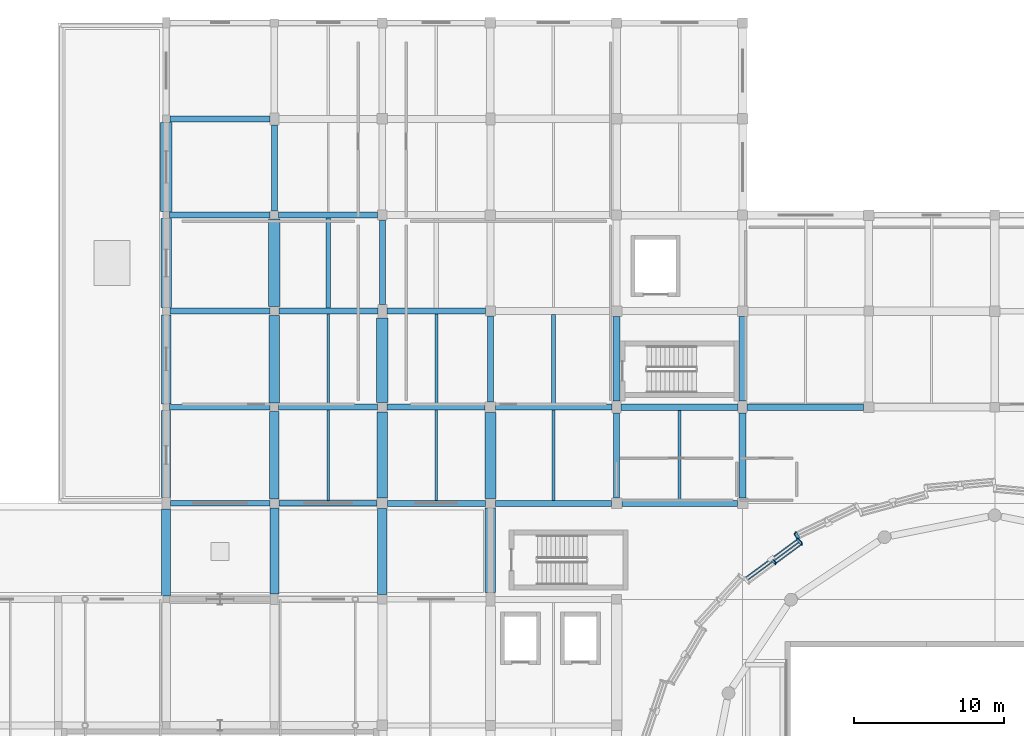
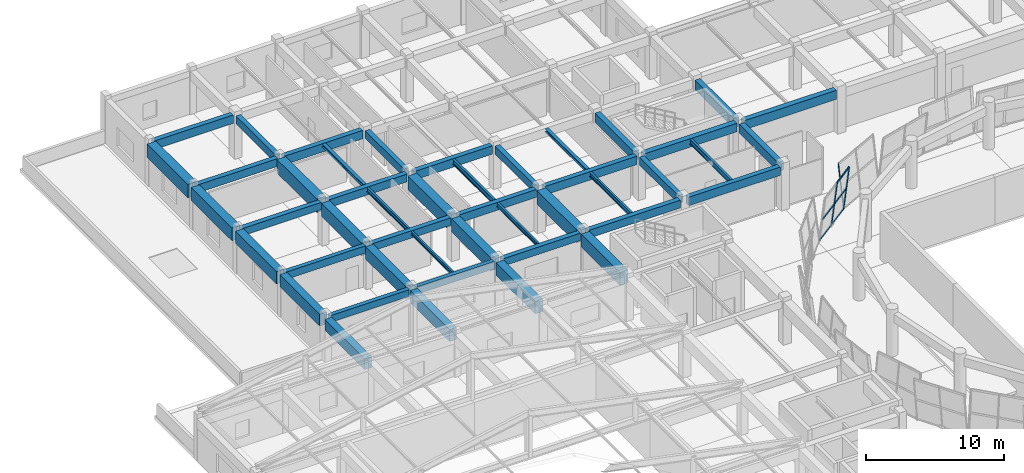
# One storey, part 33 of 74: 46 beams, 8 members, 2 elements without a shape of their own.
"""IFC4 building model written with IfcOpenShell, lengths in metres."""

from ifc_helpers import new_model, si_unit, direction, frame, origin, origin_2d, place, context, subcontext, project, spatial, rectangle, hollow_rectangle, i_section, extrude, material, material_profile, profile_set, type_object, element, aggregate, save


model = new_model("IFC4")

# Units and contexts
model_context = context("Model", 3, precision=1e-05, world=origin(), true_north=direction((0.0, 1.0)))
body_context = subcontext(model_context, "Body", "Model", "MODEL_VIEW")
ifc_project = project(units=[si_unit("LENGTHUNIT", "METRE"), si_unit("AREAUNIT", "SQUARE_METRE"), si_unit("VOLUMEUNIT", "CUBIC_METRE"), si_unit("PLANEANGLEUNIT", "RADIAN"), si_unit("MASSUNIT", "GRAM", prefix="KILO")], contexts=[model_context])

# Site, building, storey
site_placement = place(None, origin())
site = spatial("IfcSite", under=ifc_project, at=site_placement, CompositionType="ELEMENT")
building_placement = place(site_placement, origin())
building = spatial("IfcBuilding", under=site, at=building_placement, Name="Korsvaeld Concert Hall", CompositionType="ELEMENT")
storey_placement = place(building_placement, frame((0.0, 0.0, 9.0)))
storey = spatial("IfcBuildingStorey", under=building, at=storey_placement, Name="L02", CompositionType="ELEMENT", Elevation=9.0)

# Beams
ifc_material_1 = material(Name="Concrete C35/45", Category="concrete")
ifc_material_profile_1 = material_profile(ifc_material_1, rectangle(XDim=0.35009765625, YDim=0.60009765625, at=origin_2d()), Name="RC 350x600")
ifc_profile_set_1 = profile_set([ifc_material_profile_1], Name="Concrete C35/45")
beam_type_1 = type_object("IfcBeamType", Name="BM-RC-350x600", PredefinedType="T_BEAM", material=ifc_profile_set_1)
beam_1_placement = place(storey_placement, frame((29.074951171875, 83.199951171875, 3.5400390625), z_axis=(1.0, 0.0, 0.0), x_axis=(0.0, 1.0, 0.0)))
element("IfcBeam", 1, at=beam_1_placement, inside=storey, type_object=beam_type_1, Name="Primary girder 5-6/M L02", PredefinedType="T_BEAM", context=body_context, shape_type="SweptSolid", body=[
    extrude(rectangle(XDim=0.35009765625, YDim=0.60009765625, at=origin_2d()), origin(), (0.0, 0.0, 1.0), 6.625),
])
ifc_material_profile_2 = material_profile(ifc_material_1, rectangle(XDim=0.35009765625, YDim=0.64990234375, at=origin_2d()), Name="RC 350x650")
ifc_profile_set_2 = profile_set([ifc_material_profile_2], Name="Concrete C35/45")
beam_type_2 = type_object("IfcBeamType", Name="BM-RC-350x650", PredefinedType="T_BEAM", material=ifc_profile_set_2)
beam_2_placement = place(storey_placement, frame((36.300048828125, 83.199951171875, 3.514892578125), z_axis=(1.0, 0.0, 0.0), x_axis=(0.0, 1.0, 0.0)))
element("IfcBeam", 2, at=beam_2_placement, inside=storey, type_object=beam_type_2, Name="Primary girder 6-7/M L02", PredefinedType="T_BEAM", context=body_context, shape_type="SweptSolid", body=[
    extrude(rectangle(XDim=0.35009765625, YDim=0.64990234375, at=origin_2d()), origin(), (0.0, 0.0, 1.0), 6.550048828125),
])
beam_3_placement = place(storey_placement, frame((29.02490234375, 89.60009765625, 3.514892578125), z_axis=(1.0, 0.0, 0.0), x_axis=(0.0, 1.0, 0.0)))
element("IfcBeam", 3, at=beam_3_placement, inside=storey, type_object=beam_type_2, Name="Primary girder 5-6/N L02", PredefinedType="T_BEAM", context=body_context, shape_type="SweptSolid", body=[
    extrude(rectangle(XDim=0.35009765625, YDim=0.64990234375, at=origin_2d()), origin(), (0.0, 0.0, 1.0), 6.7001953125),
])
ifc_material_profile_3 = material_profile(ifc_material_1, rectangle(XDim=0.39990234375, YDim=0.64990234375, at=origin_2d()), Name="RC 400x650")
ifc_profile_set_3 = profile_set([ifc_material_profile_3], Name="Concrete C35/45")
beam_type_3 = type_object("IfcBeamType", Name="BM-RC-400x650", PredefinedType="T_BEAM", material=ifc_profile_set_3)
beam_4_placement = place(storey_placement, frame((43.550048828125, 83.199951171875, 3.514892578125), z_axis=(1.0, 0.0, 0.0), x_axis=(0.0, 1.0, 0.0)))
element("IfcBeam", 4, at=beam_4_placement, inside=storey, type_object=beam_type_3, Name="Primary girder 7-8/M L02", PredefinedType="T_BEAM", context=body_context, shape_type="SweptSolid", body=[
    extrude(rectangle(XDim=0.39990234375, YDim=0.64990234375, at=origin_2d()), origin(), (0.0, 0.0, 1.0), 6.52490234375),
])
beam_5_placement = place(storey_placement, frame((36.27490234375, 89.60009765625, 3.514892578125), z_axis=(1.0, 0.0, 0.0), x_axis=(0.0, 1.0, 0.0)))
element("IfcBeam", 5, at=beam_5_placement, inside=storey, type_object=beam_type_3, Name="Primary girder 6-7/N L02", PredefinedType="T_BEAM", context=body_context, shape_type="SweptSolid", body=[
    extrude(rectangle(XDim=0.39990234375, YDim=0.64990234375, at=origin_2d()), origin(), (0.0, 0.0, 1.0), 6.60009765625),
])
beam_6_placement = place(storey_placement, frame((29.050048828125, 96.0, 3.514892578125), z_axis=(1.0, 0.0, 0.0), x_axis=(0.0, 1.0, 0.0)))
element("IfcBeam", 6, at=beam_6_placement, inside=storey, type_object=beam_type_3, Name="Primary girder 5-6/P L02", PredefinedType="T_BEAM", context=body_context, shape_type="SweptSolid", body=[
    extrude(rectangle(XDim=0.39990234375, YDim=0.64990234375, at=origin_2d()), origin(), (0.0, 0.0, 1.0), 6.64990234375),
])
ifc_material_profile_4 = material_profile(ifc_material_1, rectangle(XDim=0.39990234375, YDim=0.699951171875, at=origin_2d()), Name="RC 400x700")
ifc_profile_set_4 = profile_set([ifc_material_profile_4], Name="Concrete C35/45")
beam_type_4 = type_object("IfcBeamType", Name="BM-RC-400x700", PredefinedType="T_BEAM", material=ifc_profile_set_4)
beam_7_placement = place(storey_placement, frame((50.72509765625, 83.199951171875, 3.489990234375), z_axis=(1.0, 0.0, 0.0), x_axis=(0.0, 1.0, 0.0)))
element("IfcBeam", 7, at=beam_7_placement, inside=storey, type_object=beam_type_4, Name="Primary girder 8-9/M L02", PredefinedType="T_BEAM", context=body_context, shape_type="SweptSolid", body=[
    extrude(rectangle(XDim=0.39990234375, YDim=0.699951171875, at=origin_2d()), origin(), (0.0, 0.0, 1.0), 7.724853515625),
])
beam_8_placement = place(storey_placement, frame((43.52490234375, 89.60009765625, 3.489990234375), z_axis=(1.0, 0.0, 0.0), x_axis=(0.0, 1.0, 0.0)))
element("IfcBeam", 8, at=beam_8_placement, inside=storey, type_object=beam_type_4, Name="Primary girder 7-8/N L02", PredefinedType="T_BEAM", context=body_context, shape_type="SweptSolid", body=[
    extrude(rectangle(XDim=0.39990234375, YDim=0.699951171875, at=origin_2d()), origin(), (0.0, 0.0, 1.0), 6.525146484375),
])
beam_9_placement = place(storey_placement, frame((36.300048828125, 96.0, 3.489990234375), z_axis=(1.0, 0.0, 0.0), x_axis=(0.0, 1.0, 0.0)))
element("IfcBeam", 9, at=beam_9_placement, inside=storey, type_object=beam_type_4, Name="Primary girder 6-7/P L02", PredefinedType="T_BEAM", context=body_context, shape_type="SweptSolid", body=[
    extrude(rectangle(XDim=0.39990234375, YDim=0.699951171875, at=origin_2d()), origin(), (0.0, 0.0, 1.0), 6.599853515625),
])
beam_10_placement = place(storey_placement, frame((29.02490234375, 102.39990234375, 3.489990234375), z_axis=(1.0, 0.0, 0.0), x_axis=(0.0, 1.0, 0.0)))
element("IfcBeam", 10, at=beam_10_placement, inside=storey, type_object=beam_type_4, Name="Primary girder 5-6/Q L02", PredefinedType="T_BEAM", context=body_context, shape_type="SweptSolid", body=[
    extrude(rectangle(XDim=0.39990234375, YDim=0.699951171875, at=origin_2d()), origin(), (0.0, 0.0, 1.0), 6.7001953125),
])
beam_11_placement = place(storey_placement, frame((36.0, 102.675048828125, 3.489990234375), z_axis=(0.0, 1.0, 0.0), x_axis=(-1.0, 0.0, 0.0)))
element("IfcBeam", 11, at=beam_11_placement, inside=storey, type_object=beam_type_4, Name="Primary girder 6/Q-R L02", PredefinedType="T_BEAM", context=body_context, shape_type="SweptSolid", body=[
    extrude(rectangle(XDim=0.39990234375, YDim=0.699951171875, at=origin_2d()), origin(), (0.0, 0.0, 1.0), 5.724853515625),
])
beam_12_placement = place(storey_placement, frame((43.199951171875, 96.449951171875, 3.489990234375), z_axis=(0.0, 1.0, 0.0), x_axis=(-1.0, 0.0, 0.0)))
element("IfcBeam", 12, at=beam_12_placement, inside=storey, type_object=beam_type_4, Name="Primary girder 7/P-Q L02", PredefinedType="T_BEAM", context=body_context, shape_type="SweptSolid", body=[
    extrude(rectangle(XDim=0.39990234375, YDim=0.699951171875, at=origin_2d()), origin(), (0.0, 0.0, 1.0), 5.625),
])
beam_13_placement = place(storey_placement, frame((50.39990234375, 89.949951171875, 3.489990234375), z_axis=(0.0, 1.0, 0.0), x_axis=(-1.0, 0.0, 0.0)))
element("IfcBeam", 13, at=beam_13_placement, inside=storey, type_object=beam_type_4, Name="Primary girder 8/N-P L02", PredefinedType="T_BEAM", context=body_context, shape_type="SweptSolid", body=[
    extrude(rectangle(XDim=0.39990234375, YDim=0.699951171875, at=origin_2d()), origin(), (0.0, 0.0, 1.0), 5.72509765625),
])
beam_14_placement = place(storey_placement, frame((58.800048828125, 83.550048828125, 3.489990234375), z_axis=(0.0, 1.0, 0.0), x_axis=(-1.0, 0.0, 0.0)))
element("IfcBeam", 14, at=beam_14_placement, inside=storey, type_object=beam_type_4, Name="Primary girder 9/M-N L02", PredefinedType="T_BEAM", context=body_context, shape_type="SweptSolid", body=[
    extrude(rectangle(XDim=0.39990234375, YDim=0.699951171875, at=origin_2d()), origin(), (0.0, 0.0, 1.0), 5.64990234375),
])
ifc_material_profile_5 = material_profile(ifc_material_1, rectangle(XDim=0.39990234375, YDim=0.75, at=origin_2d()), Name="RC 400x750")
ifc_profile_set_5 = profile_set([ifc_material_profile_5], Name="Concrete C35/45")
beam_type_5 = type_object("IfcBeamType", Name="BM-RC-400x750", PredefinedType="T_BEAM", material=ifc_profile_set_5)
beam_15_placement = place(storey_placement, frame((59.14990234375, 83.199951171875, 3.465087890625), z_axis=(1.0, 0.0, 0.0), x_axis=(0.0, 1.0, 0.0)))
element("IfcBeam", 15, at=beam_15_placement, inside=storey, type_object=beam_type_5, Name="Primary girder 9-10/M L02", PredefinedType="T_BEAM", context=body_context, shape_type="SweptSolid", body=[
    extrude(rectangle(XDim=0.39990234375, YDim=0.75, at=origin_2d()), origin(), (0.0, 0.0, 1.0), 7.7001953125),
])
beam_16_placement = place(storey_placement, frame((50.75, 89.60009765625, 3.465087890625), z_axis=(1.0, 0.0, 0.0), x_axis=(0.0, 1.0, 0.0)))
element("IfcBeam", 16, at=beam_16_placement, inside=storey, type_object=beam_type_5, Name="Primary girder 8-9/N L02", PredefinedType="T_BEAM", context=body_context, shape_type="SweptSolid", body=[
    extrude(rectangle(XDim=0.39990234375, YDim=0.75, at=origin_2d()), origin(), (0.0, 0.0, 1.0), 7.75),
])
beam_17_placement = place(storey_placement, frame((43.5, 96.0, 3.465087890625), z_axis=(1.0, 0.0, 0.0), x_axis=(0.0, 1.0, 0.0)))
element("IfcBeam", 17, at=beam_17_placement, inside=storey, type_object=beam_type_5, Name="Primary girder 7-8/P L02", PredefinedType="T_BEAM", context=body_context, shape_type="SweptSolid", body=[
    extrude(rectangle(XDim=0.39990234375, YDim=0.75, at=origin_2d()), origin(), (0.0, 0.0, 1.0), 6.574951171875),
])
beam_18_placement = place(storey_placement, frame((36.27490234375, 102.39990234375, 3.465087890625), z_axis=(1.0, 0.0, 0.0), x_axis=(0.0, 1.0, 0.0)))
element("IfcBeam", 18, at=beam_18_placement, inside=storey, type_object=beam_type_5, Name="Primary girder 6-7/Q L02", PredefinedType="T_BEAM", context=body_context, shape_type="SweptSolid", body=[
    extrude(rectangle(XDim=0.39990234375, YDim=0.75, at=origin_2d()), origin(), (0.0, 0.0, 1.0), 6.60009765625),
])
beam_19_placement = place(storey_placement, frame((29.050048828125, 108.800048828125, 3.465087890625), z_axis=(1.0, 0.0, 0.0), x_axis=(0.0, 1.0, 0.0)))
element("IfcBeam", 19, at=beam_19_placement, inside=storey, type_object=beam_type_5, Name="Primary girder 5-6/R L02", PredefinedType="T_BEAM", context=body_context, shape_type="SweptSolid", body=[
    extrude(rectangle(XDim=0.39990234375, YDim=0.75, at=origin_2d()), origin(), (0.0, 0.0, 1.0), 6.64990234375),
])
ifc_material_profile_6 = material_profile(ifc_material_1, rectangle(XDim=0.449951171875, YDim=0.75, at=origin_2d()), Name="RC 450x750")
ifc_profile_set_6 = profile_set([ifc_material_profile_6], Name="Concrete C35/45")
beam_type_6 = type_object("IfcBeamType", Name="BM-RC-450x750", PredefinedType="T_BEAM", material=ifc_profile_set_6)
beam_20_placement = place(storey_placement, frame((59.10009765625, 89.60009765625, 3.465087890625), z_axis=(1.0, 0.0, 0.0), x_axis=(0.0, 1.0, 0.0)))
element("IfcBeam", 20, at=beam_20_placement, inside=storey, type_object=beam_type_6, Name="Primary girder 9-10/N L02", PredefinedType="T_BEAM", context=body_context, shape_type="SweptSolid", body=[
    extrude(rectangle(XDim=0.449951171875, YDim=0.75, at=origin_2d()), origin(), (0.0, 0.0, 1.0), 7.7998046875),
])
ifc_material_profile_7 = material_profile(ifc_material_1, rectangle(XDim=0.449951171875, YDim=0.800048828125, at=origin_2d()), Name="RC 450x800")
ifc_profile_set_7 = profile_set([ifc_material_profile_7], Name="Concrete C35/45")
beam_type_7 = type_object("IfcBeamType", Name="BM-RC-450x800", PredefinedType="T_BEAM", material=ifc_profile_set_7)
beam_21_placement = place(storey_placement, frame((67.5, 89.60009765625, 3.43994140625), z_axis=(1.0, 0.0, 0.0), x_axis=(0.0, 1.0, 0.0)))
element("IfcBeam", 21, at=beam_21_placement, inside=storey, type_object=beam_type_7, Name="Primary girder 10-11/N L02", PredefinedType="T_BEAM", context=body_context, shape_type="SweptSolid", body=[
    extrude(rectangle(XDim=0.449951171875, YDim=0.800048828125, at=origin_2d()), origin(), (0.0, 0.0, 1.0), 7.75),
])
for number, where, z_axis, x_axis, name in (
    (22, (58.800048828125, 90.0, 3.43994140625), (0.0, 1.0, 0.0), (-1.0, 0.0, 0.0), "Primary girder 9/N-P L02"),
    (23, (67.199951171875, 83.550048828125, 3.43994140625), (0.0, 1.0, 0.0), (-1.0, 0.0, 0.0), "Primary girder 10/M-N L02"),
):
    element("IfcBeam", number, at=place(storey_placement, frame(where, z_axis=z_axis, x_axis=x_axis)), inside=storey, type_object=beam_type_7, Name=name, PredefinedType="T_BEAM", context=body_context, shape_type="SweptSolid", body=[
        extrude(rectangle(XDim=0.449951171875, YDim=0.800048828125, at=origin_2d()), origin(), (0.0, 0.0, 1.0), 5.64990234375),
    ])
ifc_material_2 = material(Name="Concrete C40/50", Category="concrete")
ifc_material_profile_8 = material_profile(ifc_material_2, rectangle(XDim=0.449951171875, YDim=0.85009765625, at=origin_2d()), Name="RC 450x850")
ifc_profile_set_8 = profile_set([ifc_material_profile_8], Name="Concrete C40/50")
beam_type_8 = type_object("IfcBeamType", Name="BM-RC-450x850", PredefinedType="T_BEAM", material=ifc_profile_set_8)
beam_22_placement = place(storey_placement, frame((67.199951171875, 90.0, 3.4150390625), z_axis=(0.0, 1.0, 0.0), x_axis=(-1.0, 0.0, 0.0)))
element("IfcBeam", 24, at=beam_22_placement, inside=storey, type_object=beam_type_8, Name="Primary girder 10/N-P L02", PredefinedType="T_BEAM", context=body_context, shape_type="SweptSolid", body=[
    extrude(rectangle(XDim=0.449951171875, YDim=0.85009765625, at=origin_2d()), origin(), (0.0, 0.0, 1.0), 5.64990234375),
])
ifc_material_profile_9 = material_profile(ifc_material_2, rectangle(XDim=0.60009765625, YDim=1.050048828125, at=origin_2d()), Name="RC 600x1050")
ifc_profile_set_9 = profile_set([ifc_material_profile_9], Name="Concrete C40/50")
beam_type_9 = type_object("IfcBeamType", Name="BM-RC-600x1050", PredefinedType="T_BEAM", material=ifc_profile_set_9)
beam_23_placement = place(storey_placement, frame((28.800048828125, 83.574951171875, 3.31494140625), z_axis=(0.0, 1.0, 0.0), x_axis=(-1.0, 0.0, 0.0)))
element("IfcBeam", 25, at=beam_23_placement, inside=storey, type_object=beam_type_9, Name="Primary girder 5/M-N L02", PredefinedType="T_BEAM", context=body_context, shape_type="SweptSolid", body=[
    extrude(rectangle(XDim=0.60009765625, YDim=1.050048828125, at=origin_2d()), origin(), (0.0, 0.0, 1.0), 5.800048828125),
])
beam_24_placement = place(storey_placement, frame((36.0, 77.14990234375, 3.31494140625), z_axis=(0.0, 1.0, 0.0), x_axis=(-1.0, 0.0, 0.0)))
element("IfcBeam", 26, at=beam_24_placement, inside=storey, type_object=beam_type_9, Name="Primary girder 6/L-M L02", PredefinedType="T_BEAM", context=body_context, shape_type="SweptSolid", body=[
    extrude(rectangle(XDim=0.60009765625, YDim=1.050048828125, at=origin_2d()), origin(), (0.0, 0.0, 1.0), 5.75),
])
ifc_material_profile_10 = material_profile(ifc_material_2, rectangle(XDim=0.60009765625, YDim=0.949951171875, at=origin_2d()), Name="RC 600x950")
ifc_profile_set_10 = profile_set([ifc_material_profile_10], Name="Concrete C40/50")
beam_type_10 = type_object("IfcBeamType", Name="BM-RC-600x950", PredefinedType="T_BEAM", material=ifc_profile_set_10)
beam_25_placement = place(storey_placement, frame((28.800048828125, 77.02490234375, 3.364990234375), z_axis=(0.0, 1.0, 0.0), x_axis=(-1.0, 0.0, 0.0)))
element("IfcBeam", 27, at=beam_25_placement, inside=storey, type_object=beam_type_10, Name="Primary girder 5/L-M L02", PredefinedType="T_BEAM", context=body_context, shape_type="SweptSolid", body=[
    extrude(rectangle(XDim=0.60009765625, YDim=0.949951171875, at=origin_2d()), origin(), (0.0, 0.0, 1.0), 5.800048828125),
])
ifc_material_profile_11 = material_profile(ifc_material_2, rectangle(XDim=0.64990234375, YDim=1.10009765625, at=origin_2d()), Name="RC 650x1100")
ifc_profile_set_11 = profile_set([ifc_material_profile_11], Name="Concrete C40/50")
beam_type_11 = type_object("IfcBeamType", Name="BM-RC-650x1100", PredefinedType="T_BEAM", material=ifc_profile_set_11)
beam_26_placement = place(storey_placement, frame((28.800048828125, 89.824951171875, 3.2900390625), z_axis=(0.0, 1.0, 0.0), x_axis=(-1.0, 0.0, 0.0)))
element("IfcBeam", 28, at=beam_26_placement, inside=storey, type_object=beam_type_11, Name="Primary girder 5/N-P L02", PredefinedType="T_BEAM", context=body_context, shape_type="SweptSolid", body=[
    extrude(rectangle(XDim=0.64990234375, YDim=1.10009765625, at=origin_2d()), origin(), (0.0, 0.0, 1.0), 5.925048828125),
])
beam_27_placement = place(storey_placement, frame((36.0, 83.5, 3.2900390625), z_axis=(0.0, 1.0, 0.0), x_axis=(-1.0, 0.0, 0.0)))
element("IfcBeam", 29, at=beam_27_placement, inside=storey, type_object=beam_type_11, Name="Primary girder 6/M-N L02", PredefinedType="T_BEAM", context=body_context, shape_type="SweptSolid", body=[
    extrude(rectangle(XDim=0.64990234375, YDim=1.10009765625, at=origin_2d()), origin(), (0.0, 0.0, 1.0), 5.824951171875),
])
beam_28_placement = place(storey_placement, frame((43.199951171875, 77.125, 3.2900390625), z_axis=(0.0, 1.0, 0.0), x_axis=(-1.0, 0.0, 0.0)))
element("IfcBeam", 30, at=beam_28_placement, inside=storey, type_object=beam_type_11, Name="Primary girder 7/L-M L02", PredefinedType="T_BEAM", context=body_context, shape_type="SweptSolid", body=[
    extrude(rectangle(XDim=0.64990234375, YDim=1.10009765625, at=origin_2d()), origin(), (0.0, 0.0, 1.0), 5.72509765625),
])
ifc_material_profile_12 = material_profile(ifc_material_2, rectangle(XDim=0.699951171875, YDim=1.14990234375, at=origin_2d()), Name="RC 700x1150")
ifc_profile_set_12 = profile_set([ifc_material_profile_12], Name="Concrete C40/50")
beam_type_12 = type_object("IfcBeamType", Name="BM-RC-700x1150", PredefinedType="T_BEAM", material=ifc_profile_set_12)
beam_29_placement = place(storey_placement, frame((28.800048828125, 96.25, 3.264892578125), z_axis=(0.0, 1.0, 0.0), x_axis=(-1.0, 0.0, 0.0)))
element("IfcBeam", 31, at=beam_29_placement, inside=storey, type_object=beam_type_12, Name="Primary girder 5/P-Q L02", PredefinedType="T_BEAM", context=body_context, shape_type="SweptSolid", body=[
    extrude(rectangle(XDim=0.699951171875, YDim=1.14990234375, at=origin_2d()), origin(), (0.0, 0.0, 1.0), 5.925048828125),
])
beam_30_placement = place(storey_placement, frame((36.0, 89.875, 3.264892578125), z_axis=(0.0, 1.0, 0.0), x_axis=(-1.0, 0.0, 0.0)))
element("IfcBeam", 32, at=beam_30_placement, inside=storey, type_object=beam_type_12, Name="Primary girder 6/N-P L02", PredefinedType="T_BEAM", context=body_context, shape_type="SweptSolid", body=[
    extrude(rectangle(XDim=0.699951171875, YDim=1.14990234375, at=origin_2d()), origin(), (0.0, 0.0, 1.0), 5.824951171875),
])
beam_31_placement = place(storey_placement, frame((43.199951171875, 83.550048828125, 3.264892578125), z_axis=(0.0, 1.0, 0.0), x_axis=(-1.0, 0.0, 0.0)))
element("IfcBeam", 33, at=beam_31_placement, inside=storey, type_object=beam_type_12, Name="Primary girder 7/M-N L02", PredefinedType="T_BEAM", context=body_context, shape_type="SweptSolid", body=[
    extrude(rectangle(XDim=0.699951171875, YDim=1.14990234375, at=origin_2d()), origin(), (0.0, 0.0, 1.0), 5.724853515625),
])
beam_32_placement = place(storey_placement, frame((50.39990234375, 77.25, 3.264892578125), z_axis=(0.0, 1.0, 0.0), x_axis=(-1.0, 0.0, 0.0)))
element("IfcBeam", 34, at=beam_32_placement, inside=storey, type_object=beam_type_12, Name="Primary girder 8/L-M L02", PredefinedType="T_BEAM", context=body_context, shape_type="SweptSolid", body=[
    extrude(rectangle(XDim=0.699951171875, YDim=1.14990234375, at=origin_2d()), origin(), (0.0, 0.0, 1.0), 5.625),
])
ifc_material_profile_13 = material_profile(ifc_material_2, rectangle(XDim=0.75, YDim=1.199951171875, at=origin_2d()), Name="RC 750x1200")
ifc_profile_set_13 = profile_set([ifc_material_profile_13], Name="Concrete C40/50")
beam_type_13 = type_object("IfcBeamType", Name="BM-RC-750x1200", PredefinedType="T_BEAM", material=ifc_profile_set_13)
beam_33_placement = place(storey_placement, frame((28.800048828125, 102.625, 3.239990234375), z_axis=(0.0, 1.0, 0.0), x_axis=(-1.0, 0.0, 0.0)))
element("IfcBeam", 35, at=beam_33_placement, inside=storey, type_object=beam_type_13, Name="Primary girder 5/Q-R L02", PredefinedType="T_BEAM", context=body_context, shape_type="SweptSolid", body=[
    extrude(rectangle(XDim=0.75, YDim=1.199951171875, at=origin_2d()), origin(), (0.0, 0.0, 1.0), 5.925048828125),
])
beam_34_placement = place(storey_placement, frame((36.0, 96.300048828125, 3.239990234375), z_axis=(0.0, 1.0, 0.0), x_axis=(-1.0, 0.0, 0.0)))
element("IfcBeam", 36, at=beam_34_placement, inside=storey, type_object=beam_type_13, Name="Primary girder 6/P-Q L02", PredefinedType="T_BEAM", context=body_context, shape_type="SweptSolid", body=[
    extrude(rectangle(XDim=0.75, YDim=1.199951171875, at=origin_2d()), origin(), (0.0, 0.0, 1.0), 5.824951171875),
])
beam_35_placement = place(storey_placement, frame((43.199951171875, 89.925048828125, 3.239990234375), z_axis=(0.0, 1.0, 0.0), x_axis=(-1.0, 0.0, 0.0)))
element("IfcBeam", 37, at=beam_35_placement, inside=storey, type_object=beam_type_13, Name="Primary girder 7/N-P L02", PredefinedType="T_BEAM", context=body_context, shape_type="SweptSolid", body=[
    extrude(rectangle(XDim=0.75, YDim=1.199951171875, at=origin_2d()), origin(), (0.0, 0.0, 1.0), 5.625),
])
beam_36_placement = place(storey_placement, frame((50.39990234375, 83.52490234375, 3.239990234375), z_axis=(0.0, 1.0, 0.0), x_axis=(-1.0, 0.0, 0.0)))
element("IfcBeam", 38, at=beam_36_placement, inside=storey, type_object=beam_type_13, Name="Primary girder 8/M-N L02", PredefinedType="T_BEAM", context=body_context, shape_type="SweptSolid", body=[
    extrude(rectangle(XDim=0.75, YDim=1.199951171875, at=origin_2d()), origin(), (0.0, 0.0, 1.0), 5.72509765625),
])
ifc_material_3 = material(Name="Steel S355J2", Category="steel")
ifc_material_profile_14 = material_profile(ifc_material_3, i_section(OverallWidth=0.280029296875, OverallDepth=0.27001953125, WebThickness=0.008056640625, FlangeThickness=0.012939453125, FilletRadius=0.02392578125, at=origin_2d()), Name="HEA 280")
ifc_profile_set_14 = profile_set([ifc_material_profile_14], Name="Steel S355J2")
beam_type_14 = type_object("IfcBeamType", Name="BM-STL-HEA280", PredefinedType="BEAM", material=ifc_profile_set_14)
beam_37_placement = place(storey_placement, frame((39.60009765625, 96.199951171875, 3.705078125), z_axis=(0.0, 1.0, 0.0), x_axis=(-1.0, 0.0, 0.0)))
element("IfcBeam", 39, at=beam_37_placement, inside=storey, type_object=beam_type_14, Name="Secondary steel floor beam 6-7/P L02", PredefinedType="BEAM", context=body_context, shape_type="SweptSolid", body=[
    extrude(i_section(OverallWidth=0.280029296875, OverallDepth=0.27001953125, WebThickness=0.008056640625, FlangeThickness=0.012939453125, FilletRadius=0.02392578125, at=origin_2d()), origin(), (0.0, 0.0, 1.0), 6.0),
])
beam_38_placement = place(storey_placement, frame((54.60009765625, 89.800048828125, 3.705078125), z_axis=(0.0, 1.0, 0.0), x_axis=(-1.0, 0.0, 0.0)))
element("IfcBeam", 40, at=beam_38_placement, inside=storey, type_object=beam_type_14, Name="Secondary steel floor beam 8-9/N L02", PredefinedType="BEAM", context=body_context, shape_type="SweptSolid", body=[
    extrude(i_section(OverallWidth=0.280029296875, OverallDepth=0.27001953125, WebThickness=0.008056640625, FlangeThickness=0.012939453125, FilletRadius=0.02392578125, at=origin_2d()), origin(), (0.0, 0.0, 1.0), 5.974853515625),
])
ifc_material_profile_15 = material_profile(ifc_material_3, i_section(OverallWidth=0.159912109375, OverallDepth=0.330078125, WebThickness=0.007568359375, FlangeThickness=0.011474609375, FilletRadius=0.01806640625, at=origin_2d()), Name="IPE 330")
ifc_profile_set_15 = profile_set([ifc_material_profile_15], Name="Steel S355J2")
beam_type_15 = type_object("IfcBeamType", Name="BM-STL-IPE330", PredefinedType="BEAM", material=ifc_profile_set_15)
beam_39_placement = place(storey_placement, frame((39.60009765625, 83.375, 3.675048828125), z_axis=(0.0, 1.0, 0.0), x_axis=(-1.0, 0.0, 0.0)))
element("IfcBeam", 41, at=beam_39_placement, inside=storey, type_object=beam_type_15, Name="Secondary steel floor beam 6-7/M L02", PredefinedType="BEAM", context=body_context, shape_type="SweptSolid", body=[
    extrude(i_section(OverallWidth=0.159912109375, OverallDepth=0.330078125, WebThickness=0.007568359375, FlangeThickness=0.011474609375, FilletRadius=0.01806640625, at=origin_2d()), origin(), (0.0, 0.0, 1.0), 6.02490234375),
])
ifc_material_profile_16 = material_profile(ifc_material_3, i_section(OverallWidth=0.169921875, OverallDepth=0.360107421875, WebThickness=0.008056640625, FlangeThickness=0.0126953125, FilletRadius=0.01806640625, at=origin_2d()), Name="IPE 360")
ifc_profile_set_16 = profile_set([ifc_material_profile_16], Name="Steel S355J2")
beam_type_16 = type_object("IfcBeamType", Name="BM-STL-IPE360", PredefinedType="BEAM", material=ifc_profile_set_16)
beam_40_placement = place(storey_placement, frame((46.800048828125, 83.39990234375, 3.659912109375), z_axis=(0.0, 1.0, 0.0), x_axis=(-1.0, 0.0, 0.0)))
element("IfcBeam", 42, at=beam_40_placement, inside=storey, type_object=beam_type_16, Name="Secondary steel floor beam 7-8/M L02", PredefinedType="BEAM", context=body_context, shape_type="SweptSolid", body=[
    extrude(i_section(OverallWidth=0.169921875, OverallDepth=0.360107421875, WebThickness=0.008056640625, FlangeThickness=0.0126953125, FilletRadius=0.01806640625, at=origin_2d()), origin(), (0.0, 0.0, 1.0), 6.0),
])
ifc_material_profile_17 = material_profile(ifc_material_3, i_section(OverallWidth=0.179931640625, OverallDepth=0.39990234375, WebThickness=0.008544921875, FlangeThickness=0.013427734375, FilletRadius=0.02099609375, at=origin_2d()), Name="IPE 400")
ifc_profile_set_17 = profile_set([ifc_material_profile_17], Name="Steel S355J2")
beam_type_17 = type_object("IfcBeamType", Name="BM-STL-IPE400", PredefinedType="BEAM", material=ifc_profile_set_17)
for number, where, z_axis, x_axis, name in (
    (43, (39.60009765625, 89.800048828125, 3.639892578125), (0.0, 1.0, 0.0), (-1.0, 0.0, 0.0), "Secondary steel floor beam 6-7/N L02"),
    (44, (54.60009765625, 83.39990234375, 3.639892578125), (0.0, 1.0, 0.0), (-1.0, 0.0, 0.0), "Secondary steel floor beam 8-9/M L02"),
):
    element("IfcBeam", number, at=place(storey_placement, frame(where, z_axis=z_axis, x_axis=x_axis)), inside=storey, type_object=beam_type_17, Name=name, PredefinedType="BEAM", context=body_context, shape_type="SweptSolid", body=[
        extrude(i_section(OverallWidth=0.179931640625, OverallDepth=0.39990234375, WebThickness=0.008544921875, FlangeThickness=0.013427734375, FilletRadius=0.02099609375, at=origin_2d()), origin(), (0.0, 0.0, 1.0), 6.0),
    ])
ifc_material_profile_18 = material_profile(ifc_material_3, i_section(OverallWidth=0.18994140625, OverallDepth=0.449951171875, WebThickness=0.009521484375, FlangeThickness=0.0146484375, FilletRadius=0.02099609375, at=origin_2d()), Name="IPE 450")
ifc_profile_set_18 = profile_set([ifc_material_profile_18], Name="Steel S355J2")
beam_type_18 = type_object("IfcBeamType", Name="BM-STL-IPE450", PredefinedType="BEAM", material=ifc_profile_set_18)
beam_41_placement = place(storey_placement, frame((46.800048828125, 89.800048828125, 3.614990234375), z_axis=(0.0, 1.0, 0.0), x_axis=(-1.0, 0.0, 0.0)))
element("IfcBeam", 45, at=beam_41_placement, inside=storey, type_object=beam_type_18, Name="Secondary steel floor beam 7-8/N L02", PredefinedType="BEAM", context=body_context, shape_type="SweptSolid", body=[
    extrude(i_section(OverallWidth=0.18994140625, OverallDepth=0.449951171875, WebThickness=0.009521484375, FlangeThickness=0.0146484375, FilletRadius=0.02099609375, at=origin_2d()), origin(), (0.0, 0.0, 1.0), 6.0),
])
beam_42_placement = place(storey_placement, frame((63.0, 83.39990234375, 3.614990234375), z_axis=(0.0, 1.0, 0.0), x_axis=(-1.0, 0.0, 0.0)))
element("IfcBeam", 46, at=beam_42_placement, inside=storey, type_object=beam_type_18, Name="Secondary steel floor beam 9-10/M L02", PredefinedType="BEAM", context=body_context, shape_type="SweptSolid", body=[
    extrude(i_section(OverallWidth=0.18994140625, OverallDepth=0.449951171875, WebThickness=0.009521484375, FlangeThickness=0.0146484375, FilletRadius=0.02099609375, at=origin_2d()), origin(), (0.0, 0.0, 1.0), 5.97509765625),
])

# Curtain wall, members
ifc_material_4 = material(Name="Anodised bronze and ceramic-fritted safety glass", Category="glass")
curtain_wall_type_1 = type_object("IfcCurtainWallType", Name="CW-TYPE-04", PredefinedType="USERDEFINED", material=ifc_material_4)
curtain_wall_1_placement = place(storey_placement, origin())
curtain_wall_1 = element("IfcCurtainWall", 47, at=curtain_wall_1_placement, inside=storey, type_object=curtain_wall_type_1, Name="Crystal curtain-wall facet L02 F12", ObjectType="CURTAIN WALL", PredefinedType="USERDEFINED")
ifc_material_5 = material(Name="Anodised architectural bronze aluminium", Category="aluminium")
ifc_material_profile_19 = material_profile(ifc_material_5, hollow_rectangle(XDim=0.074951171875, YDim=0.179931640625, WallThickness=0.0048828125, at=origin_2d()), Name="CWM 180x75x5")
ifc_profile_set_19 = profile_set([ifc_material_profile_19], Name="Anodised architectural bronze aluminium")
member_type_1 = type_object("IfcMemberType", Name="CWM-BRONZE-180x75", PredefinedType="MULLION", material=ifc_profile_set_19)
member_1_placement = place(storey_placement, frame((70.8583984375, 80.804931640625, 0.0), z_axis=(0.076337242942, -0.083589593623, 0.993572043275), x_axis=(0.97747454033, -0.190371504957, -0.091116480989)))
member_1 = element("IfcMember", 48, at=member_1_placement, type_object=member_type_1, Name="CW-CRYS-L02-F12 crystal mullion 1", PredefinedType="MULLION", context=body_context, shape_type="SweptSolid", body=[
    extrude(hollow_rectangle(XDim=0.074951171875, YDim=0.179931640625, WallThickness=0.0048828125, at=origin_2d()), origin(), (0.0, 0.0, 1.0), 3.905029296875),
])
member_2_placement = place(storey_placement, frame((69.100341796875, 79.509033203125, 0.0), z_axis=(0.076399398433, -0.083589194521, 0.993567299421), x_axis=(0.977549491387, -0.189970185789, -0.091149988477)))
member_2 = element("IfcMember", 49, at=member_2_placement, type_object=member_type_1, Name="CW-CRYS-L02-F12 crystal mullion 2", PredefinedType="MULLION", context=body_context, shape_type="SweptSolid", body=[
    extrude(hollow_rectangle(XDim=0.074951171875, YDim=0.179931640625, WallThickness=0.0048828125, at=origin_2d()), origin(), (0.0, 0.0, 1.0), 3.905029296875),
])

# Curtain wall, member
curtain_wall_type_2 = type_object("IfcCurtainWallType", Name="CW-TYPE-03", PredefinedType="USERDEFINED", material=ifc_material_4)
curtain_wall_2_placement = place(storey_placement, origin())
curtain_wall_2 = element("IfcCurtainWall", 50, at=curtain_wall_2_placement, inside=storey, type_object=curtain_wall_type_2, Name="Crystal curtain-wall facet L02 F11", ObjectType="CURTAIN WALL", PredefinedType="USERDEFINED")
ifc_material_profile_20 = material_profile(ifc_material_5, hollow_rectangle(XDim=0.074951171875, YDim=0.219970703125, WallThickness=0.006103515625, at=origin_2d()), Name="CWM 220x75x6")
ifc_profile_set_20 = profile_set([ifc_material_profile_20], Name="Anodised architectural bronze aluminium")
member_type_2 = type_object("IfcMemberType", Name="CWM-BRONZE-220x75", PredefinedType="MULLION", material=ifc_profile_set_20)
member_3_placement = place(storey_placement, frame((70.92236328125, 80.843505859375, 0.0), z_axis=(-0.057893742062, 0.097281493141, 0.993571651026), x_axis=(-0.829999138773, 0.548349174532, -0.102052008437)))
member_3 = element("IfcMember", 51, at=member_3_placement, type_object=member_type_2, Name="CW-CRYS-L02-F11 crystal mullion 3", PredefinedType="MULLION", context=body_context, shape_type="SweptSolid", body=[
    extrude(hollow_rectangle(XDim=0.074951171875, YDim=0.219970703125, WallThickness=0.006103515625, at=origin_2d()), origin(), (0.0, 0.0, 1.0), 3.905029296875),
])
aggregate(curtain_wall_2, [member_3])

# Member
ifc_material_profile_21 = material_profile(ifc_material_5, hollow_rectangle(XDim=0.074951171875, YDim=0.14990234375, WallThickness=0.0048828125, at=origin_2d()), Name="CWT 150x75x5")
ifc_profile_set_21 = profile_set([ifc_material_profile_21], Name="Anodised architectural bronze aluminium")
member_type_3 = type_object("IfcMemberType", Name="CWT-BRONZE-150x75", PredefinedType="USERDEFINED", material=ifc_profile_set_21)
member_4_placement = place(storey_placement, frame((70.830322265625, 80.7802734375, 0.030029296875), z_axis=(-0.804849215574, -0.593479351107, 0.0), x_axis=(0.593479351107, -0.804849215574, 0.0)))
member_4 = element("IfcMember", 52, at=member_4_placement, type_object=member_type_3, Name="CW-CRYS-L02-F12 crystal transom 1.1", ObjectType="TRANSOM", PredefinedType="USERDEFINED", context=body_context, shape_type="SweptSolid", body=[
    extrude(hollow_rectangle(XDim=0.074951171875, YDim=0.14990234375, WallThickness=0.0048828125, at=origin_2d()), origin(), (0.0, 0.0, 1.0), 2.109130859375),
])

member_5_placement = place(storey_placement, frame((70.977294921875, 80.61962890625, 1.93994140625), z_axis=(-0.804849215574, -0.593479351107, 0.0), x_axis=(0.593479351107, -0.804849215574, 0.0)))
member_5 = element("IfcMember", 53, at=member_5_placement, type_object=member_type_3, Name="CW-CRYS-L02-F12 crystal transom 1.2", ObjectType="TRANSOM", PredefinedType="USERDEFINED", context=body_context, shape_type="SweptSolid", body=[
    extrude(hollow_rectangle(XDim=0.074951171875, YDim=0.14990234375, WallThickness=0.0048828125, at=origin_2d()), origin(), (0.0, 0.0, 1.0), 2.109130859375),
])

member_6_placement = place(storey_placement, frame((71.1240234375, 80.458740234375, 3.85009765625), z_axis=(-0.804904507896, -0.593404358906, 0.0), x_axis=(0.593404358906, -0.804904507896, 0.0)))
member_6 = element("IfcMember", 54, at=member_6_placement, type_object=member_type_3, Name="CW-CRYS-L02-F12 crystal transom 1.3", ObjectType="TRANSOM", PredefinedType="USERDEFINED", context=body_context, shape_type="SweptSolid", body=[
    extrude(hollow_rectangle(XDim=0.074951171875, YDim=0.14990234375, WallThickness=0.0048828125, at=origin_2d()), origin(), (0.0, 0.0, 1.0), 2.10888671875),
])

member_7_placement = place(storey_placement, frame((69.072509765625, 79.484130859375, 0.030029296875), z_axis=(-0.804904507896, -0.593404358906, 0.0), x_axis=(0.593404358906, -0.804904507896, 0.0)))
member_7 = element("IfcMember", 55, at=member_7_placement, type_object=member_type_3, Name="CW-CRYS-L02-F12 crystal transom 2.1", ObjectType="TRANSOM", PredefinedType="USERDEFINED", context=body_context, shape_type="SweptSolid", body=[
    extrude(hollow_rectangle(XDim=0.074951171875, YDim=0.14990234375, WallThickness=0.0048828125, at=origin_2d()), origin(), (0.0, 0.0, 1.0), 2.10888671875),
])

member_8_placement = place(storey_placement, frame((69.21923828125, 79.323486328125, 1.93994140625), z_axis=(-0.804904507896, -0.593404358906, 0.0), x_axis=(0.593404358906, -0.804904507896, 0.0)))
member_8 = element("IfcMember", 56, at=member_8_placement, type_object=member_type_3, Name="CW-CRYS-L02-F12 crystal transom 2.2", ObjectType="TRANSOM", PredefinedType="USERDEFINED", context=body_context, shape_type="SweptSolid", body=[
    extrude(hollow_rectangle(XDim=0.074951171875, YDim=0.14990234375, WallThickness=0.0048828125, at=origin_2d()), origin(), (0.0, 0.0, 1.0), 2.10888671875),
])

aggregate(curtain_wall_1, [member_1, member_2, member_4, member_5, member_6, member_7, member_8])

save(model, "model.ifc")
